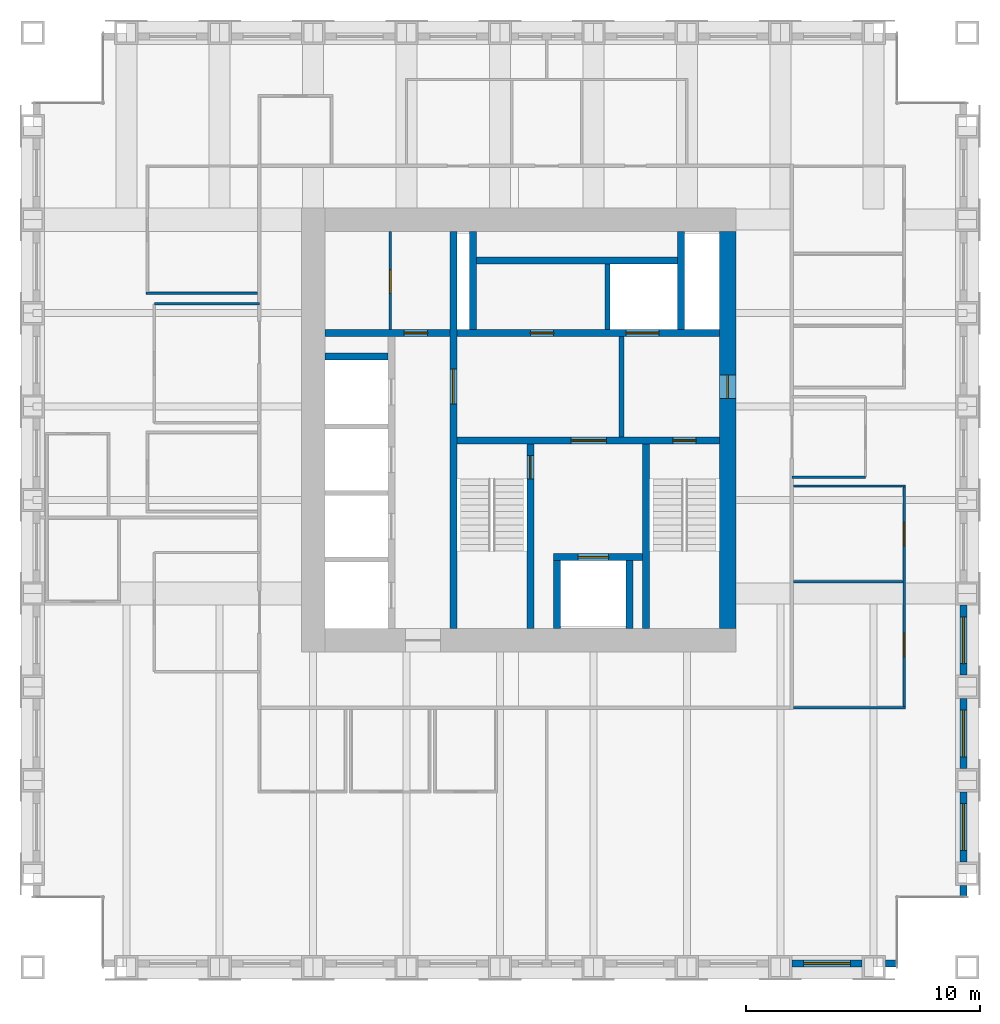
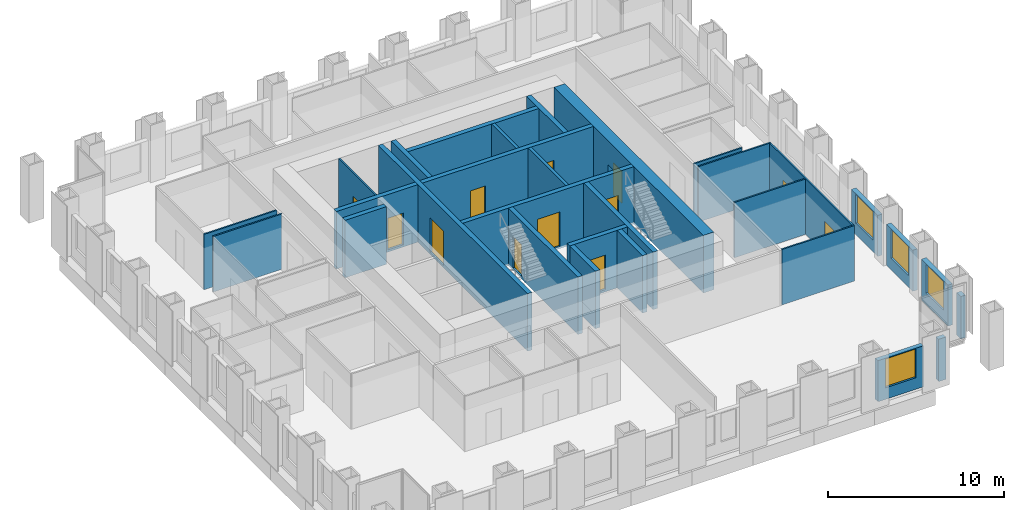
# One storey, part 9 of 13: 30 walls, 12 doors, 4 windows, 16 openings.
"""IFC4 building model written with IfcOpenShell, lengths in metres."""

from ifc_helpers import new_model, si_unit, direction, frame, frame_2d, origin, place, context, subcontext, project, spatial, rectangle, extrude, material, layer, layer_set, type_object, element, fill, save


model = new_model("IFC4")

# Units and contexts
model_context = context("Model", 3, precision=1e-05, world=origin(), true_north=direction((0.0, 1.0)))
body_context = subcontext(model_context, "Body", "Model", "MODEL_VIEW")
ifc_project = project(units=[si_unit("LENGTHUNIT", "METRE"), si_unit("AREAUNIT", "SQUARE_METRE"), si_unit("VOLUMEUNIT", "CUBIC_METRE"), si_unit("PLANEANGLEUNIT", "RADIAN"), si_unit("MASSUNIT", "GRAM", prefix="KILO")], contexts=[model_context])

# Site, building, storey
site_placement = place(None, origin())
site = spatial("IfcSite", under=ifc_project, at=site_placement, CompositionType="ELEMENT")
building_placement = place(site_placement, origin())
building = spatial("IfcBuilding", under=site, at=building_placement, Name="Rimbunsela Tower", CompositionType="ELEMENT")
storey_placement = place(building_placement, frame((0.0, 0.0, 294.199951171875)))
storey = spatial("IfcBuildingStorey", under=building, at=storey_placement, Name="L71", CompositionType="ELEMENT", Elevation=294.199951171875)

# Wall, opening, door
ifc_material_1 = material(Name="Concrete fc' 80 MPa", Category="concrete")
ifc_layer_1 = layer(ifc_material_1, 0.300048828125)
ifc_layer_set_1 = layer_set([ifc_layer_1], Name="Core internal wall 300")
wall_type_1 = type_object("IfcWallType", Name="Core internal wall 300", PredefinedType="SHEAR", material=ifc_layer_set_1)
wall_1_placement = place(storey_placement, frame((24.0, 18.5, -0.14990234375), z_axis=(0.0, 0.0, 1.0), x_axis=(0.0, 1.0, 0.0)))
wall_1 = element("IfcWall", 1, at=wall_1_placement, inside=storey, type_object=wall_type_1, Name="Core wall at stair A", PredefinedType="SHEAR", context=body_context, shape_type="SweptSolid", body=[
    extrude(rectangle(XDim=17.0, YDim=0.300048828125, at=frame_2d((8.5, 0.0))), origin(), (0.0, 0.0, 1.0), 4.0),
])
opening_1_placement = place(wall_1_placement, frame((9.60009765625, 0.0, 0.14990234375)))
opening_1 = element("IfcOpeningElement", 2, at=opening_1_placement, cuts=wall_1, Name="Opening D03", PredefinedType="OPENING", context=body_context, shape_type="SweptSolid", body=[
    extrude(rectangle(XDim=1.5, YDim=2.39990234375, at=frame_2d((0.75, 1.199951171875))), frame((0.0, 0.159912109375, 0.0), z_axis=(0.0, -1.0, 0.0), x_axis=(1.0, 0.0, 0.0)), (0.0, 0.0, 1.0), 0.320068359375),
])
ifc_material_2 = material(Name="Steel door, fire rated", Category="steel")
door_type_1 = type_object("IfcDoorType", Name="Core lobby door 1500", OperationType="DOUBLE_DOOR_DOUBLE_SWING", PredefinedType="DOOR", material=ifc_material_2)
door_1_placement = place(opening_1_placement, origin())
door_1 = element("IfcDoor", 3, at=door_1_placement, inside=storey, type_object=door_type_1, Name="West lobby door", OperationType="DOUBLE_DOOR_DOUBLE_SWING", OverallHeight=2.39990234375, OverallWidth=1.5, PredefinedType="DOOR", context=body_context, shape_type="SweptSolid", body=[
    extrude(rectangle(XDim=1.5, YDim=2.39990234375, at=frame_2d((0.75, 1.199951171875))), frame((0.0, 0.02490234375, 0.0), z_axis=(0.0, -1.0, 0.0), x_axis=(1.0, 0.0, 0.0)), (0.0, 0.0, 1.0), 0.050048828125),
])
fill(opening_1, door_1)

# Wall, openings, doors
wall_2_placement = place(storey_placement, frame((24.14990234375, 26.550048828125, -0.14990234375), z_axis=(0.0, 0.0, 1.0), x_axis=(1.0, 0.0, 0.0)))
wall_2 = element("IfcWall", 4, at=wall_2_placement, inside=storey, type_object=wall_type_1, Name="Core wall lobby south", PredefinedType="SHEAR", context=body_context, shape_type="SweptSolid", body=[
    extrude(rectangle(XDim=11.25, YDim=0.300048828125, at=frame_2d((5.625, 0.0))), origin(), (0.0, 0.0, 1.0), 4.0),
])
opening_2_placement = place(wall_2_placement, frame((9.25, 0.0, 0.14990234375)))
opening_2 = element("IfcOpeningElement", 5, at=opening_2_placement, cuts=wall_2, Name="Opening D01", PredefinedType="OPENING", context=body_context, shape_type="SweptSolid", body=[
    extrude(rectangle(XDim=1.0, YDim=2.199951171875, at=frame_2d((0.5, 1.10009765625))), frame((0.0, 0.159912109375, 0.0), z_axis=(0.0, -1.0, 0.0), x_axis=(1.0, 0.0, 0.0)), (0.0, 0.0, 1.0), 0.320068359375),
])
opening_3_placement = place(wall_2_placement, frame((4.89990234375, 0.0, 0.14990234375)))
opening_3 = element("IfcOpeningElement", 6, at=opening_3_placement, cuts=wall_2, Name="Opening D03", PredefinedType="OPENING", context=body_context, shape_type="SweptSolid", body=[
    extrude(rectangle(XDim=1.5, YDim=2.39990234375, at=frame_2d((0.75, 1.199951171875))), frame((0.0, 0.159912109375, 0.0), z_axis=(0.0, -1.0, 0.0), x_axis=(1.0, 0.0, 0.0)), (0.0, 0.0, 1.0), 0.320068359375),
])
door_2_placement = place(opening_3_placement, origin())
door_2 = element("IfcDoor", 7, at=door_2_placement, inside=storey, type_object=door_type_1, Name="Firefighting lobby door", OperationType="DOUBLE_DOOR_DOUBLE_SWING", OverallHeight=2.39990234375, OverallWidth=1.5, PredefinedType="DOOR", context=body_context, shape_type="SweptSolid", body=[
    extrude(rectangle(XDim=1.5, YDim=2.39990234375, at=frame_2d((0.75, 1.199951171875))), frame((0.0, 0.02490234375, 0.0), z_axis=(0.0, -1.0, 0.0), x_axis=(1.0, 0.0, 0.0)), (0.0, 0.0, 1.0), 0.050048828125),
])
fill(opening_3, door_2)
ifc_material_3 = material(Name="Steel door, fire rated", Category="steel")
door_type_2 = type_object("IfcDoorType", Name="Stair door 1000", OperationType="SINGLE_SWING_RIGHT", PredefinedType="DOOR", material=ifc_material_3)
door_3_placement = place(opening_2_placement, frame((1.0, 0.0, 0.0), z_axis=(0.0, 0.0, 1.0), x_axis=(-1.0, 0.0, 0.0)))
door_3 = element("IfcDoor", 8, at=door_3_placement, inside=storey, type_object=door_type_2, Name="Stair B door", OperationType="SINGLE_SWING_RIGHT", OverallHeight=2.199951171875, OverallWidth=1.0, PredefinedType="DOOR", context=body_context, shape_type="SweptSolid", body=[
    extrude(rectangle(XDim=1.0, YDim=2.199951171875, at=frame_2d((0.5, 1.10009765625))), frame((0.0, 0.02490234375, 0.0), z_axis=(0.0, -1.0, 0.0), x_axis=(1.0, 0.0, 0.0)), (0.0, 0.0, 1.0), 0.050048828125),
])
fill(opening_2, door_3)

# Wall, opening, door
wall_3_placement = place(storey_placement, frame((27.300048828125, 18.5, -0.14990234375), z_axis=(0.0, 0.0, 1.0), x_axis=(0.0, 1.0, 0.0)))
wall_3 = element("IfcWall", 9, at=wall_3_placement, inside=storey, type_object=wall_type_1, Name="Stair A enclosure", PredefinedType="SHEAR", context=body_context, shape_type="SweptSolid", body=[
    extrude(rectangle(XDim=7.89990234375, YDim=0.300048828125, at=frame_2d((3.949951171875, 0.0))), origin(), (0.0, 0.0, 1.0), 4.0),
])
opening_4_placement = place(wall_3_placement, frame((6.39990234375, 0.0, 0.14990234375)))
opening_4 = element("IfcOpeningElement", 10, at=opening_4_placement, cuts=wall_3, Name="Opening D01", PredefinedType="OPENING", context=body_context, shape_type="SweptSolid", body=[
    extrude(rectangle(XDim=1.0, YDim=2.199951171875, at=frame_2d((0.5, 1.10009765625))), frame((0.0, 0.159912109375, 0.0), z_axis=(0.0, -1.0, 0.0), x_axis=(1.0, 0.0, 0.0)), (0.0, 0.0, 1.0), 0.320068359375),
])
door_4_placement = place(opening_4_placement, origin())
door_4 = element("IfcDoor", 11, at=door_4_placement, inside=storey, type_object=door_type_2, Name="Stair A door", OperationType="SINGLE_SWING_RIGHT", OverallHeight=2.199951171875, OverallWidth=1.0, PredefinedType="DOOR", context=body_context, shape_type="SweptSolid", body=[
    extrude(rectangle(XDim=1.0, YDim=2.199951171875, at=frame_2d((0.5, 1.10009765625))), frame((0.0, 0.02490234375, 0.0), z_axis=(0.0, -1.0, 0.0), x_axis=(1.0, 0.0, 0.0)), (0.0, 0.0, 1.0), 0.050048828125),
])
fill(opening_4, door_4)

# Walls
wall_4_placement = place(storey_placement, frame((32.25, 18.5, -0.14990234375), z_axis=(0.0, 0.0, 1.0), x_axis=(0.0, 1.0, 0.0)))
element("IfcWall", 12, at=wall_4_placement, inside=storey, type_object=wall_type_1, Name="Stair B enclosure", PredefinedType="SHEAR", context=body_context, shape_type="SweptSolid", body=[
    extrude(rectangle(XDim=7.89990234375, YDim=0.300048828125, at=frame_2d((3.949951171875, 0.0))), origin(), (0.0, 0.0, 1.0), 4.0),
])
for number, where, z_axis, x_axis, name in (
    (13, (28.449951171875, 18.5, -0.14990234375), (0.0, 0.0, 1.0), (0.0, 1.0, 0.0), "Firefighting lift shaft west"),
    (14, (31.550048828125, 18.5, -0.14990234375), (0.0, 0.0, 1.0), (0.0, 1.0, 0.0), "Firefighting lift shaft east"),
):
    element("IfcWall", number, at=place(storey_placement, frame(where, z_axis=z_axis, x_axis=x_axis)), inside=storey, type_object=wall_type_1, Name=name, PredefinedType="SHEAR", context=body_context, shape_type="SweptSolid", body=[
        extrude(rectangle(XDim=2.89990234375, YDim=0.300048828125, at=frame_2d((1.449951171875, 0.0))), origin(), (0.0, 0.0, 1.0), 4.0),
    ])

# Wall, opening, door
wall_5_placement = place(storey_placement, frame((28.300048828125, 21.550048828125, -0.14990234375), z_axis=(0.0, 0.0, 1.0), x_axis=(1.0, 0.0, 0.0)))
wall_5 = element("IfcWall", 15, at=wall_5_placement, inside=storey, type_object=wall_type_1, Name="Firefighting lift shaft front", PredefinedType="SHEAR", context=body_context, shape_type="SweptSolid", body=[
    extrude(rectangle(XDim=3.800048828125, YDim=0.300048828125, at=frame_2d((1.89990234375, 0.0))), origin(), (0.0, 0.0, 1.0), 4.0),
])
opening_5_placement = place(wall_5_placement, frame((1.050048828125, 0.0, 0.14990234375)))
opening_5 = element("IfcOpeningElement", 16, at=opening_5_placement, cuts=wall_5, Name="Opening LD2", PredefinedType="OPENING", context=body_context, shape_type="SweptSolid", body=[
    extrude(rectangle(XDim=1.300048828125, YDim=2.39990234375, at=frame_2d((0.64990234375, 1.199951171875))), frame((0.0, 0.159912109375, 0.0), z_axis=(0.0, -1.0, 0.0), x_axis=(1.0, 0.0, 0.0)), (0.0, 0.0, 1.0), 0.320068359375),
])
ifc_material_4 = material(Name="Steel door, fire rated", Category="steel")
door_type_3 = type_object("IfcDoorType", Name="Lift landing door 1300", OperationType="DOUBLE_DOOR_SLIDING", PredefinedType="DOOR", material=ifc_material_4)
door_5_placement = place(opening_5_placement, origin())
door_5 = element("IfcDoor", 17, at=door_5_placement, inside=storey, type_object=door_type_3, Name="Lift landing door FL1", OperationType="DOUBLE_DOOR_SLIDING", OverallHeight=2.39990234375, OverallWidth=1.300048828125, PredefinedType="DOOR", context=body_context, shape_type="SweptSolid", body=[
    extrude(rectangle(XDim=1.300048828125, YDim=2.39990234375, at=frame_2d((0.64990234375, 1.199951171875))), frame((0.0, 0.02490234375, 0.0), z_axis=(0.0, -1.0, 0.0), x_axis=(1.0, 0.0, 0.0)), (0.0, 0.0, 1.0), 0.050048828125),
])
fill(opening_5, door_5)

# Wall, openings, doors
wall_6_placement = place(storey_placement, frame((24.14990234375, 31.14990234375, -0.14990234375), z_axis=(0.0, 0.0, 1.0), x_axis=(1.0, 0.0, 0.0)))
wall_6 = element("IfcWall", 18, at=wall_6_placement, inside=storey, type_object=wall_type_1, Name="Lift shaft front north", PredefinedType="SHEAR", context=body_context, shape_type="SweptSolid", body=[
    extrude(rectangle(XDim=11.25, YDim=0.300048828125, at=frame_2d((5.625, 0.0))), origin(), (0.0, 0.0, 1.0), 4.0),
])
opening_6_placement = place(wall_6_placement, frame((3.14990234375, 0.0, 0.14990234375)))
opening_6 = element("IfcOpeningElement", 19, at=opening_6_placement, cuts=wall_6, Name="Opening D19", PredefinedType="OPENING", context=body_context, shape_type="SweptSolid", body=[
    extrude(rectangle(XDim=1.0, YDim=2.199951171875, at=frame_2d((0.5, 1.10009765625))), frame((0.0, 0.159912109375, 0.0), z_axis=(0.0, -1.0, 0.0), x_axis=(1.0, 0.0, 0.0)), (0.0, 0.0, 1.0), 0.320068359375),
])
opening_7_placement = place(wall_6_placement, frame((7.25, 0.0, 0.14990234375)))
opening_7 = element("IfcOpeningElement", 20, at=opening_7_placement, cuts=wall_6, Name="Opening LD3", PredefinedType="OPENING", context=body_context, shape_type="SweptSolid", body=[
    extrude(rectangle(XDim=1.39990234375, YDim=2.39990234375, at=frame_2d((0.699951171875, 1.199951171875))), frame((0.0, 0.159912109375, 0.0), z_axis=(0.0, -1.0, 0.0), x_axis=(1.0, 0.0, 0.0)), (0.0, 0.0, 1.0), 0.320068359375),
])
ifc_material_5 = material(Name="Steel door, fire rated", Category="steel")
door_type_4 = type_object("IfcDoorType", Name="Lift landing door 1400", OperationType="DOUBLE_DOOR_SLIDING", PredefinedType="DOOR", material=ifc_material_5)
door_6_placement = place(opening_7_placement, origin())
door_6 = element("IfcDoor", 21, at=door_6_placement, inside=storey, type_object=door_type_4, Name="Lift landing door FL2", OperationType="DOUBLE_DOOR_SLIDING", OverallHeight=2.39990234375, OverallWidth=1.39990234375, PredefinedType="DOOR", context=body_context, shape_type="SweptSolid", body=[
    extrude(rectangle(XDim=1.39990234375, YDim=2.39990234375, at=frame_2d((0.699951171875, 1.199951171875))), frame((0.0, 0.02490234375, 0.0), z_axis=(0.0, -1.0, 0.0), x_axis=(1.0, 0.0, 0.0)), (0.0, 0.0, 1.0), 0.050048828125),
])
fill(opening_7, door_6)
ifc_material_6 = material(Name="Steel door, fire rated", Category="steel")
door_type_5 = type_object("IfcDoorType", Name="Service door 1000 fire rated", OperationType="SINGLE_SWING_LEFT", PredefinedType="DOOR", material=ifc_material_6)
door_7_placement = place(opening_6_placement, origin())
door_7 = element("IfcDoor", 22, at=door_7_placement, inside=storey, type_object=door_type_5, Name="Equipment store door", OperationType="SINGLE_SWING_LEFT", OverallHeight=2.199951171875, OverallWidth=1.0, PredefinedType="DOOR", context=body_context, shape_type="SweptSolid", body=[
    extrude(rectangle(XDim=1.0, YDim=2.199951171875, at=frame_2d((0.5, 1.10009765625))), frame((0.0, 0.02490234375, 0.0), z_axis=(0.0, -1.0, 0.0), x_axis=(1.0, 0.0, 0.0)), (0.0, 0.0, 1.0), 0.050048828125),
])
fill(opening_6, door_7)

# Wall, opening, door
wall_7_placement = place(storey_placement, frame((18.5, 31.14990234375, -0.14990234375), z_axis=(0.0, 0.0, 1.0), x_axis=(1.0, 0.0, 0.0)))
wall_7 = element("IfcWall", 23, at=wall_7_placement, inside=storey, type_object=wall_type_1, Name="Store wall", PredefinedType="SHEAR", context=body_context, shape_type="SweptSolid", body=[
    extrude(rectangle(XDim=5.35009765625, YDim=0.300048828125, at=frame_2d((2.675048828125, 0.0))), origin(), (0.0, 0.0, 1.0), 4.0),
])
opening_8_placement = place(wall_7_placement, frame((3.39990234375, 0.0, 0.14990234375)))
opening_8 = element("IfcOpeningElement", 24, at=opening_8_placement, cuts=wall_7, Name="Opening D19", PredefinedType="OPENING", context=body_context, shape_type="SweptSolid", body=[
    extrude(rectangle(XDim=1.0, YDim=2.199951171875, at=frame_2d((0.5, 1.10009765625))), frame((0.0, 0.159912109375, 0.0), z_axis=(0.0, -1.0, 0.0), x_axis=(1.0, 0.0, 0.0)), (0.0, 0.0, 1.0), 0.320068359375),
])
door_8_placement = place(opening_8_placement, origin())
door_8 = element("IfcDoor", 25, at=door_8_placement, inside=storey, type_object=door_type_5, Name="Facilities store door", OperationType="SINGLE_SWING_LEFT", OverallHeight=2.199951171875, OverallWidth=1.0, PredefinedType="DOOR", context=body_context, shape_type="SweptSolid", body=[
    extrude(rectangle(XDim=1.0, YDim=2.199951171875, at=frame_2d((0.5, 1.10009765625))), frame((0.0, 0.02490234375, 0.0), z_axis=(0.0, -1.0, 0.0), x_axis=(1.0, 0.0, 0.0)), (0.0, 0.0, 1.0), 0.050048828125),
])
fill(opening_8, door_8)

# Walls
wall_8_placement = place(storey_placement, frame((18.5, 30.14990234375, -0.14990234375), z_axis=(0.0, 0.0, 1.0), x_axis=(1.0, 0.0, 0.0)))
element("IfcWall", 26, at=wall_8_placement, inside=storey, type_object=wall_type_1, Name="Lift shaft rear west", PredefinedType="SHEAR", context=body_context, shape_type="SweptSolid", body=[
    extrude(rectangle(XDim=2.699951171875, YDim=0.300048828125, at=frame_2d((1.35009765625, 0.0))), origin(), (0.0, 0.0, 1.0), 4.0),
])
for number, where, z_axis, x_axis, name in (
    (27, (24.85009765625, 31.300048828125, -0.14990234375), (0.0, 0.0, 1.0), (0.0, 1.0, 0.0), "Riser wall"),
    (28, (33.75, 31.300048828125, -0.14990234375), (0.0, 0.0, 1.0), (0.0, 1.0, 0.0), "Riser wall"),
):
    element("IfcWall", number, at=place(storey_placement, frame(where, z_axis=z_axis, x_axis=x_axis)), inside=storey, type_object=wall_type_1, Name=name, PredefinedType="SHEAR", context=body_context, shape_type="SweptSolid", body=[
        extrude(rectangle(XDim=4.199951171875, YDim=0.300048828125, at=frame_2d((2.10009765625, 0.0))), origin(), (0.0, 0.0, 1.0), 4.0),
    ])
wall_9_placement = place(storey_placement, frame((25.0, 34.25, -0.14990234375), z_axis=(0.0, 0.0, 1.0), x_axis=(1.0, 0.0, 0.0)))
element("IfcWall", 29, at=wall_9_placement, inside=storey, type_object=wall_type_1, Name="Lift shaft rear north", PredefinedType="SHEAR", context=body_context, shape_type="SweptSolid", body=[
    extrude(rectangle(XDim=8.60009765625, YDim=0.300048828125, at=frame_2d((4.300048828125, 0.0))), origin(), (0.0, 0.0, 1.0), 4.0),
])

# Wall, opening, door
ifc_material_7 = material(Name="Concrete blockwork", Category="masonry")
ifc_layer_2 = layer(ifc_material_7, 0.10009765625)
ifc_layer_set_2 = layer_set([ifc_layer_2], Name="Core room partition 100")
wall_type_2 = type_object("IfcWallType", Name="Core room partition 100", PredefinedType="PARTITIONING", material=ifc_layer_set_2)
wall_10_placement = place(storey_placement, frame((21.300048828125, 31.300048828125, 0.0), z_axis=(0.0, 0.0, 1.0), x_axis=(0.0, 1.0, 0.0)))
wall_10 = element("IfcWall", 30, at=wall_10_placement, inside=storey, type_object=wall_type_2, Name="Housekeeping store wall", PredefinedType="PARTITIONING", context=body_context, shape_type="SweptSolid", body=[
    extrude(rectangle(XDim=4.199951171875, YDim=0.10009765625, at=frame_2d((2.10009765625, 0.0))), origin(), (0.0, 0.0, 1.0), 3.85009765625),
])
opening_9_placement = place(wall_10_placement, frame((1.550048828125, 0.0, 0.0)))
opening_9 = element("IfcOpeningElement", 31, at=opening_9_placement, cuts=wall_10, Name="Opening D19", PredefinedType="OPENING", context=body_context, shape_type="SweptSolid", body=[
    extrude(rectangle(XDim=1.0, YDim=2.199951171875, at=frame_2d((0.5, 1.10009765625))), frame((0.0, 0.06005859375, 0.0), z_axis=(0.0, -1.0, 0.0), x_axis=(1.0, 0.0, 0.0)), (0.0, 0.0, 1.0), 0.1201171875),
])
door_9_placement = place(opening_9_placement, origin())
door_9 = element("IfcDoor", 32, at=door_9_placement, inside=storey, type_object=door_type_5, Name="Housekeeping store door", OperationType="SINGLE_SWING_LEFT", OverallHeight=2.199951171875, OverallWidth=1.0, PredefinedType="DOOR", context=body_context, shape_type="SweptSolid", body=[
    extrude(rectangle(XDim=1.0, YDim=2.199951171875, at=frame_2d((0.5, 1.10009765625))), frame((0.0, 0.02490234375, 0.0), z_axis=(0.0, -1.0, 0.0), x_axis=(1.0, 0.0, 0.0)), (0.0, 0.0, 1.0), 0.050048828125),
])
fill(opening_9, door_9)

ifc_material_8 = material(Name="Concrete fc' 80 MPa", Category="concrete")
ifc_layer_3 = layer(ifc_material_8, 0.699951171875)
ifc_layer_set_3 = layer_set([ifc_layer_3], Name="Core wall 700 east")
wall_type_3 = type_object("IfcWallType", Name="Core wall 700 east", PredefinedType="SHEAR", material=ifc_layer_set_3)
wall_11_placement = place(storey_placement, frame((35.75, 18.5, -0.14990234375), z_axis=(0.0, 0.0, 1.0), x_axis=(0.0, 1.0, 0.0)))
wall_11 = element("IfcWall", 33, at=wall_11_placement, inside=storey, type_object=wall_type_3, Name="Core wall east", PredefinedType="SHEAR", context=body_context, shape_type="SweptSolid", body=[
    extrude(rectangle(XDim=17.0, YDim=0.699951171875, at=frame_2d((8.5, 0.0))), origin(), (0.0, 0.0, 1.0), 4.0),
])
opening_10_placement = place(wall_11_placement, frame((9.85009765625, 0.0, 0.14990234375)))
opening_10 = element("IfcOpeningElement", 34, at=opening_10_placement, cuts=wall_11, Name="Opening D01", PredefinedType="OPENING", context=body_context, shape_type="SweptSolid", body=[
    extrude(rectangle(XDim=1.0, YDim=2.199951171875, at=frame_2d((0.5, 1.10009765625))), frame((0.0, 0.35986328125, 0.0), z_axis=(0.0, -1.0, 0.0), x_axis=(1.0, 0.0, 0.0)), (0.0, 0.0, 1.0), 0.719970703125),
])
door_10_placement = place(opening_10_placement, origin())
door_10 = element("IfcDoor", 35, at=door_10_placement, inside=storey, type_object=door_type_2, Name="Firefighting lobby 2 door", OperationType="SINGLE_SWING_RIGHT", OverallHeight=2.199951171875, OverallWidth=1.0, PredefinedType="DOOR", context=body_context, shape_type="SweptSolid", body=[
    extrude(rectangle(XDim=1.0, YDim=2.199951171875, at=frame_2d((0.5, 1.10009765625))), frame((0.0, 0.02490234375, 0.0), z_axis=(0.0, -1.0, 0.0), x_axis=(1.0, 0.0, 0.0)), (0.0, 0.0, 1.0), 0.050048828125),
])
fill(opening_10, door_10)

# Walls
ifc_material_9 = material(Name="Concrete blockwork", Category="masonry")
ifc_layer_4 = layer(ifc_material_9, 0.199951171875)
ifc_layer_set_4 = layer_set([ifc_layer_4], Name="Lift shaft wall 200")
wall_type_4 = type_object("IfcWallType", Name="Lift shaft wall 200", PredefinedType="SOLIDWALL", material=ifc_layer_set_4)
wall_12_placement = place(storey_placement, frame((30.60009765625, 31.300048828125, -0.14990234375), z_axis=(0.0, 0.0, 1.0), x_axis=(0.0, 1.0, 0.0)))
element("IfcWall", 36, at=wall_12_placement, inside=storey, type_object=wall_type_4, Name="Lift shaft separation", PredefinedType="SOLIDWALL", context=body_context, shape_type="SweptSolid", body=[
    extrude(rectangle(XDim=2.800048828125, YDim=0.199951171875, at=frame_2d((1.39990234375, 0.0))), origin(), (0.0, 0.0, 1.0), 4.0),
])
wall_13_placement = place(storey_placement, frame((31.199951171875, 26.699951171875, 0.0), z_axis=(0.0, 0.0, 1.0), x_axis=(0.0, 1.0, 0.0)))
element("IfcWall", 37, at=wall_13_placement, inside=storey, type_object=wall_type_4, Name="Firefighting lobby 2 wall", PredefinedType="SOLIDWALL", context=body_context, shape_type="SweptSolid", body=[
    extrude(rectangle(XDim=4.300048828125, YDim=0.199951171875, at=frame_2d((2.14990234375, 0.0))), origin(), (0.0, 0.0, 1.0), 3.85009765625),
])
ifc_material_10 = material(Name="Gypsum board on steel studs", Category="steel")
ifc_layer_5 = layer(ifc_material_10, 0.10009765625)
ifc_layer_set_5 = layer_set([ifc_layer_5], Name="Office partition 100")
wall_type_5 = type_object("IfcWallType", Name="Office partition 100", PredefinedType="PARTITIONING", material=ifc_layer_set_5)
wall_14_placement = place(storey_placement, frame((38.574951171875, 15.10009765625, 0.0), z_axis=(0.0, 0.0, 1.0), x_axis=(1.0, 0.0, 0.0)))
element("IfcWall", 38, at=wall_14_placement, inside=storey, type_object=wall_type_5, Name="Office partition", PredefinedType="PARTITIONING", context=body_context, shape_type="SweptSolid", body=[
    extrude(rectangle(XDim=4.775146484375, YDim=0.10009765625, at=frame_2d((2.3876953125, 0.0))), origin(), (0.0, 0.0, 1.0), 3.85009765625),
])
wall_15_placement = place(storey_placement, frame((38.574951171875, 20.5, 0.0), z_axis=(0.0, 0.0, 1.0), x_axis=(1.0, 0.0, 0.0)))
element("IfcWall", 39, at=wall_15_placement, inside=storey, type_object=wall_type_5, Name="Office partition", PredefinedType="PARTITIONING", context=body_context, shape_type="SweptSolid", body=[
    extrude(rectangle(XDim=4.675048828125, YDim=0.10009765625, at=frame_2d((2.33740234375, 0.0))), origin(), (0.0, 0.0, 1.0), 3.85009765625),
])
wall_16_placement = place(storey_placement, frame((38.574951171875, 24.60009765625, 0.0), z_axis=(0.0, 0.0, 1.0), x_axis=(1.0, 0.0, 0.0)))
element("IfcWall", 40, at=wall_16_placement, inside=storey, type_object=wall_type_5, Name="Office partition", PredefinedType="PARTITIONING", context=body_context, shape_type="SweptSolid", body=[
    extrude(rectangle(XDim=4.775146484375, YDim=0.10009765625, at=frame_2d((2.3876953125, 0.0))), origin(), (0.0, 0.0, 1.0), 3.85009765625),
])
wall_17_placement = place(storey_placement, frame((10.85009765625, 32.85009765625, 0.0), z_axis=(0.0, 0.0, 1.0), x_axis=(1.0, 0.0, 0.0)))
element("IfcWall", 41, at=wall_17_placement, inside=storey, type_object=wall_type_5, Name="Office partition", PredefinedType="PARTITIONING", context=body_context, shape_type="SweptSolid", body=[
    extrude(rectangle(XDim=4.77490234375, YDim=0.10009765625, at=frame_2d((2.387451171875, 0.0))), origin(), (0.0, 0.0, 1.0), 3.85009765625),
])

# Wall, openings, doors
wall_18_placement = place(storey_placement, frame((43.300048828125, 15.14990234375, 0.0), z_axis=(0.0, 0.0, 1.0), x_axis=(0.0, 1.0, 0.0)))
wall_18 = element("IfcWall", 42, at=wall_18_placement, inside=storey, type_object=wall_type_5, Name="Office partition", PredefinedType="PARTITIONING", context=body_context, shape_type="SweptSolid", body=[
    extrude(rectangle(XDim=9.400146484375, YDim=0.10009765625, at=frame_2d((4.7001953125, 0.0))), origin(), (0.0, 0.0, 1.0), 3.85009765625),
])
opening_11_placement = place(wall_18_placement, frame((2.14990234375, 0.0, 0.0)))
opening_11 = element("IfcOpeningElement", 43, at=opening_11_placement, cuts=wall_18, Name="Opening D17", PredefinedType="OPENING", context=body_context, shape_type="SweptSolid", body=[
    extrude(rectangle(XDim=1.0, YDim=2.199951171875, at=frame_2d((0.5, 1.10009765625))), frame((0.0, 0.06005859375, 0.0), z_axis=(0.0, -1.0, 0.0), x_axis=(1.0, 0.0, 0.0)), (0.0, 0.0, 1.0), 0.1201171875),
])
opening_12_placement = place(wall_18_placement, frame((6.89990234375, 0.0, 0.0)))
opening_12 = element("IfcOpeningElement", 44, at=opening_12_placement, cuts=wall_18, Name="Opening D16", PredefinedType="OPENING", context=body_context, shape_type="SweptSolid", body=[
    extrude(rectangle(XDim=1.0, YDim=2.199951171875, at=frame_2d((0.5, 1.10009765625))), frame((0.0, 0.06005859375, 0.0), z_axis=(0.0, -1.0, 0.0), x_axis=(1.0, 0.0, 0.0)), (0.0, 0.0, 1.0), 0.1201171875),
])
ifc_material_11 = material(Name="Glazed aluminium door", Category="aluminium")
door_type_6 = type_object("IfcDoorType", Name="Meeting room door 1000 glazed", OperationType="SINGLE_SWING_RIGHT", PredefinedType="DOOR", material=ifc_material_11)
door_11_placement = place(opening_11_placement, origin())
door_11 = element("IfcDoor", 45, at=door_11_placement, inside=storey, type_object=door_type_6, Name="Meeting room door", OperationType="SINGLE_SWING_RIGHT", OverallHeight=2.199951171875, OverallWidth=1.0, PredefinedType="DOOR", context=body_context, shape_type="SweptSolid", body=[
    extrude(rectangle(XDim=1.0, YDim=2.199951171875, at=frame_2d((0.5, 1.10009765625))), frame((0.0, 0.02490234375, 0.0), z_axis=(0.0, -1.0, 0.0), x_axis=(1.0, 0.0, 0.0)), (0.0, 0.0, 1.0), 0.050048828125),
])
fill(opening_11, door_11)
ifc_material_12 = material(Name="Timber door", Category="wood")
door_type_7 = type_object("IfcDoorType", Name="Office door 1000", OperationType="SINGLE_SWING_LEFT", PredefinedType="DOOR", material=ifc_material_12)
door_12_placement = place(opening_12_placement, origin())
door_12 = element("IfcDoor", 46, at=door_12_placement, inside=storey, type_object=door_type_7, Name="Office door", OperationType="SINGLE_SWING_LEFT", OverallHeight=2.199951171875, OverallWidth=1.0, PredefinedType="DOOR", context=body_context, shape_type="SweptSolid", body=[
    extrude(rectangle(XDim=1.0, YDim=2.199951171875, at=frame_2d((0.5, 1.10009765625))), frame((0.0, 0.02490234375, 0.0), z_axis=(0.0, -1.0, 0.0), x_axis=(1.0, 0.0, 0.0)), (0.0, 0.0, 1.0), 0.050048828125),
])
fill(opening_12, door_12)

# Walls
wall_19_placement = place(storey_placement, frame((15.699951171875, 32.39990234375, 0.0), z_axis=(0.0, 0.0, 1.0), x_axis=(-1.0, 0.0, 0.0)))
element("IfcWall", 47, at=wall_19_placement, inside=storey, type_object=wall_type_5, Name="Office partition", PredefinedType="PARTITIONING", context=body_context, shape_type="SweptSolid", body=[
    extrude(rectangle(XDim=4.5, YDim=0.10009765625, at=frame_2d((2.25, 0.0))), origin(), (0.0, 0.0, 1.0), 3.85009765625),
])
wall_20_placement = place(storey_placement, frame((38.5, 24.97509765625, 0.0), z_axis=(0.0, 0.0, 1.0), x_axis=(1.0, 0.0, 0.0)))
element("IfcWall", 48, at=wall_20_placement, inside=storey, type_object=wall_type_5, Name="Office partition", PredefinedType="PARTITIONING", context=body_context, shape_type="SweptSolid", body=[
    extrude(rectangle(XDim=3.14990234375, YDim=0.10009765625, at=frame_2d((1.574951171875, 0.0))), origin(), (0.0, 0.0, 1.0), 3.85009765625),
])

# Wall, opening, window
ifc_material_13 = material(Name="Precast concrete fc' 35 MPa", Category="concrete")
ifc_layer_6 = layer(ifc_material_13, 0.300048828125)
ifc_layer_set_6 = layer_set([ifc_layer_6], Name="Precast concrete fc' 35 MPa")
wall_type_6 = type_object("IfcWallType", Name="Precast facade panel 300", PredefinedType="ELEMENTEDWALL", material=ifc_layer_set_6)
wall_21_placement = place(storey_placement, frame((38.5, 4.14990234375, 0.0), z_axis=(0.0, 0.0, 1.0), x_axis=(1.0, 0.0, 0.0)))
wall_21 = element("IfcWall", 49, at=wall_21_placement, inside=storey, type_object=wall_type_6, Name="Facade panel S L71", PredefinedType="ELEMENTEDWALL", context=body_context, shape_type="SweptSolid", body=[
    extrude(rectangle(XDim=3.0, YDim=0.300048828125, at=frame_2d((1.5, 0.0))), origin(), (0.0, 0.0, 1.0), 2.85009765625),
])
opening_13_placement = place(wall_21_placement, frame((0.5, 0.0, 0.800048828125)))
opening_13 = element("IfcOpeningElement", 50, at=opening_13_placement, cuts=wall_21, Name="Opening W1", PredefinedType="OPENING", context=body_context, shape_type="SweptSolid", body=[
    extrude(rectangle(XDim=2.0, YDim=2.0, at=frame_2d((1.0, 1.0))), frame((0.0, 0.159912109375, 0.0), z_axis=(0.0, -1.0, 0.0), x_axis=(1.0, 0.0, 0.0)), (0.0, 0.0, 1.0), 0.320068359375),
])
ifc_material_14 = material(Name="Clear glass in aluminium frame", Category="aluminium")
window_type = type_object("IfcWindowType", Name="Window W1 2000x2000", PartitioningType="DOUBLE_PANEL_VERTICAL", PredefinedType="WINDOW", material=ifc_material_14)
window_1_placement = place(opening_13_placement, origin())
window_1 = element("IfcWindow", 51, at=window_1_placement, inside=storey, type_object=window_type, Name="Window L71", OverallHeight=2.0, OverallWidth=2.0, PartitioningType="SINGLE_PANEL", PredefinedType="WINDOW", context=body_context, shape_type="SweptSolid", body=[
    extrude(rectangle(XDim=2.0, YDim=2.0, at=frame_2d((1.0, 1.0))), frame((0.0, 0.030029296875, 0.0), z_axis=(0.0, -1.0, 0.0), x_axis=(1.0, 0.0, 0.0)), (0.0, 0.0, 1.0), 0.06005859375),
])
fill(opening_13, window_1)

# Walls
for number, where, z_axis, x_axis, name in (
    (52, (42.5, 4.14990234375, 0.0), (0.0, 0.0, 1.0), (1.0, 0.0, 0.0), "Facade panel S L71"),
    (53, (45.85009765625, 7.030029296875, 0.0), (0.0, 0.0, 1.0), (0.0, 1.0, 0.0), "Facade panel E L71"),
):
    element("IfcWall", number, at=place(storey_placement, frame(where, z_axis=z_axis, x_axis=x_axis)), inside=storey, type_object=wall_type_6, Name=name, PredefinedType="ELEMENTEDWALL", context=body_context, shape_type="SweptSolid", body=[
        extrude(rectangle(XDim=0.469970703125, YDim=0.300048828125, at=frame_2d((0.23486328125, 0.0))), origin(), (0.0, 0.0, 1.0), 2.949951171875),
    ])

# Wall, opening, window
wall_22_placement = place(storey_placement, frame((45.85009765625, 8.5, 0.0), z_axis=(0.0, 0.0, 1.0), x_axis=(0.0, 1.0, 0.0)))
wall_22 = element("IfcWall", 54, at=wall_22_placement, inside=storey, type_object=wall_type_6, Name="Facade panel E L71", PredefinedType="ELEMENTEDWALL", context=body_context, shape_type="SweptSolid", body=[
    extrude(rectangle(XDim=3.0, YDim=0.300048828125, at=frame_2d((1.5, 0.0))), origin(), (0.0, 0.0, 1.0), 2.85009765625),
])
opening_14_placement = place(wall_22_placement, frame((0.5, 0.0, 0.800048828125)))
opening_14 = element("IfcOpeningElement", 55, at=opening_14_placement, cuts=wall_22, Name="Opening W1", PredefinedType="OPENING", context=body_context, shape_type="SweptSolid", body=[
    extrude(rectangle(XDim=2.0, YDim=2.0, at=frame_2d((1.0, 1.0))), frame((0.0, 0.159912109375, 0.0), z_axis=(0.0, -1.0, 0.0), x_axis=(1.0, 0.0, 0.0)), (0.0, 0.0, 1.0), 0.320068359375),
])
window_2_placement = place(opening_14_placement, origin())
window_2 = element("IfcWindow", 56, at=window_2_placement, inside=storey, type_object=window_type, Name="Window L71", OverallHeight=2.0, OverallWidth=2.0, PartitioningType="SINGLE_PANEL", PredefinedType="WINDOW", context=body_context, shape_type="SweptSolid", body=[
    extrude(rectangle(XDim=2.0, YDim=2.0, at=frame_2d((1.0, 1.0))), frame((0.0, 0.030029296875, 0.0), z_axis=(0.0, -1.0, 0.0), x_axis=(1.0, 0.0, 0.0)), (0.0, 0.0, 1.0), 0.06005859375),
])
fill(opening_14, window_2)

wall_23_placement = place(storey_placement, frame((45.85009765625, 12.5, 0.0), z_axis=(0.0, 0.0, 1.0), x_axis=(0.0, 1.0, 0.0)))
wall_23 = element("IfcWall", 57, at=wall_23_placement, inside=storey, type_object=wall_type_6, Name="Facade panel E L71", PredefinedType="ELEMENTEDWALL", context=body_context, shape_type="SweptSolid", body=[
    extrude(rectangle(XDim=3.0, YDim=0.300048828125, at=frame_2d((1.5, 0.0))), origin(), (0.0, 0.0, 1.0), 2.85009765625),
])
opening_15_placement = place(wall_23_placement, frame((0.5, 0.0, 0.800048828125)))
opening_15 = element("IfcOpeningElement", 58, at=opening_15_placement, cuts=wall_23, Name="Opening W1", PredefinedType="OPENING", context=body_context, shape_type="SweptSolid", body=[
    extrude(rectangle(XDim=2.0, YDim=2.0, at=frame_2d((1.0, 1.0))), frame((0.0, 0.159912109375, 0.0), z_axis=(0.0, -1.0, 0.0), x_axis=(1.0, 0.0, 0.0)), (0.0, 0.0, 1.0), 0.320068359375),
])
window_3_placement = place(opening_15_placement, origin())
window_3 = element("IfcWindow", 59, at=window_3_placement, inside=storey, type_object=window_type, Name="Window L71", OverallHeight=2.0, OverallWidth=2.0, PartitioningType="SINGLE_PANEL", PredefinedType="WINDOW", context=body_context, shape_type="SweptSolid", body=[
    extrude(rectangle(XDim=2.0, YDim=2.0, at=frame_2d((1.0, 1.0))), frame((0.0, 0.030029296875, 0.0), z_axis=(0.0, -1.0, 0.0), x_axis=(1.0, 0.0, 0.0)), (0.0, 0.0, 1.0), 0.06005859375),
])
fill(opening_15, window_3)

wall_24_placement = place(storey_placement, frame((45.85009765625, 16.5, 0.0), z_axis=(0.0, 0.0, 1.0), x_axis=(0.0, 1.0, 0.0)))
wall_24 = element("IfcWall", 60, at=wall_24_placement, inside=storey, type_object=wall_type_6, Name="Facade panel E L71", PredefinedType="ELEMENTEDWALL", context=body_context, shape_type="SweptSolid", body=[
    extrude(rectangle(XDim=3.0, YDim=0.300048828125, at=frame_2d((1.5, 0.0))), origin(), (0.0, 0.0, 1.0), 2.85009765625),
])
opening_16_placement = place(wall_24_placement, frame((0.5, 0.0, 0.800048828125)))
opening_16 = element("IfcOpeningElement", 61, at=opening_16_placement, cuts=wall_24, Name="Opening W1", PredefinedType="OPENING", context=body_context, shape_type="SweptSolid", body=[
    extrude(rectangle(XDim=2.0, YDim=2.0, at=frame_2d((1.0, 1.0))), frame((0.0, 0.159912109375, 0.0), z_axis=(0.0, -1.0, 0.0), x_axis=(1.0, 0.0, 0.0)), (0.0, 0.0, 1.0), 0.320068359375),
])
window_4_placement = place(opening_16_placement, origin())
window_4 = element("IfcWindow", 62, at=window_4_placement, inside=storey, type_object=window_type, Name="Window L71", OverallHeight=2.0, OverallWidth=2.0, PartitioningType="SINGLE_PANEL", PredefinedType="WINDOW", context=body_context, shape_type="SweptSolid", body=[
    extrude(rectangle(XDim=2.0, YDim=2.0, at=frame_2d((1.0, 1.0))), frame((0.0, 0.030029296875, 0.0), z_axis=(0.0, -1.0, 0.0), x_axis=(1.0, 0.0, 0.0)), (0.0, 0.0, 1.0), 0.06005859375),
])
fill(opening_16, window_4)

save(model, "model.ifc")
